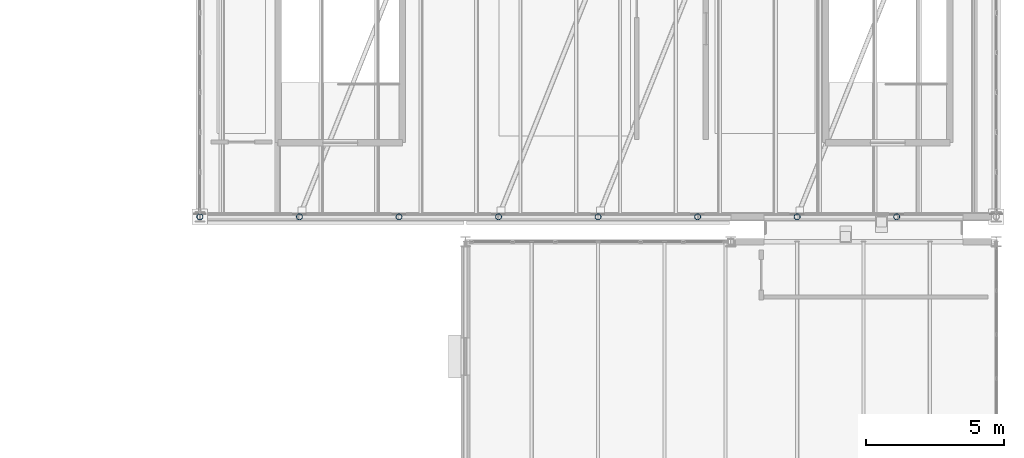
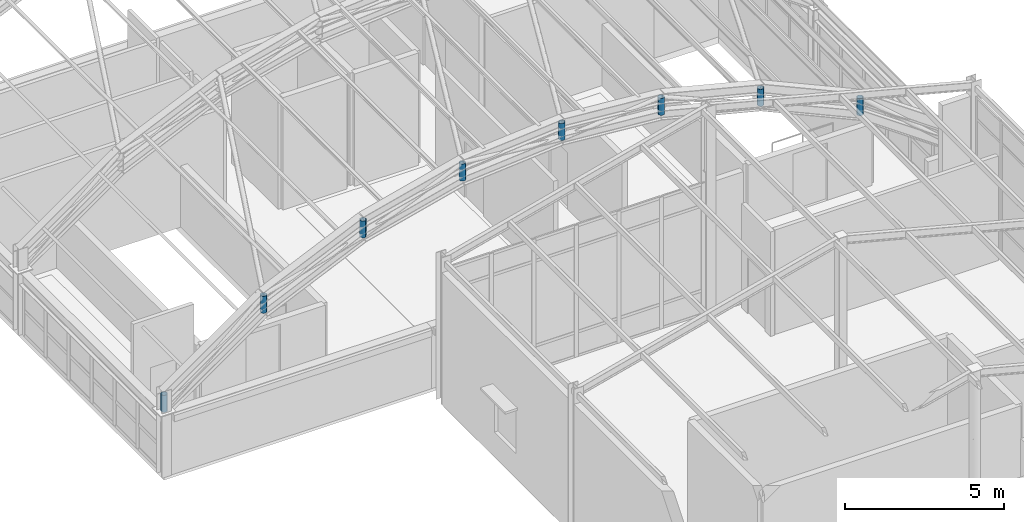
# One storey, part 84 of 121: 8 members.
"""IFC4 building model written with IfcOpenShell, lengths in metres."""

from ifc_helpers import new_model, si_unit, direction, frame, origin, origin_2d, place, context, subcontext, project, spatial, hollow_circle, extrude, material, material_profile, profile_set, type_object, element, save


model = new_model("IFC4")

# Units and contexts
model_context = context("Model", 3, precision=1e-05, world=origin(), true_north=direction((0.0, 1.0)))
body_context = subcontext(model_context, "Body", "Model", "MODEL_VIEW")
ifc_project = project(units=[si_unit("LENGTHUNIT", "METRE"), si_unit("AREAUNIT", "SQUARE_METRE"), si_unit("VOLUMEUNIT", "CUBIC_METRE"), si_unit("PLANEANGLEUNIT", "RADIAN"), si_unit("MASSUNIT", "GRAM", prefix="KILO")], contexts=[model_context])

# Site, building, storey
site_placement = place(None, origin())
site = spatial("IfcSite", under=ifc_project, at=site_placement, CompositionType="ELEMENT")
building_placement = place(site_placement, origin())
building = spatial("IfcBuilding", under=site, at=building_placement, Name="Canglan Escarpment Cableway Terminal", CompositionType="ELEMENT")
storey_placement = place(building_placement, frame((0.0, 0.0, 24.60009765625)))
storey = spatial("IfcBuildingStorey", under=building, at=storey_placement, Name="L05", CompositionType="ELEMENT", Elevation=24.60009765625)

# Members
ifc_material = material(Name="Steel Q355B", Category="steel")
ifc_material_profile = material_profile(ifc_material, hollow_circle(Radius=0.109619140625, WallThickness=0.008056640625, at=origin_2d()), Name="CHS 219.1x8")
ifc_profile_set = profile_set([ifc_material_profile], Name="Steel Q355B")
member_type = type_object("IfcMemberType", Name="MB-ARCH-WEB-CHS219", PredefinedType="BRACE", material=ifc_profile_set)
for number, where, z_axis, x_axis, name in (
    (1, (141.199951171875, 34.0, 4.966552734375), (0.0, 0.0, 1.0), (1.0, 0.0, 0.0), "Vault ROOF TRUSS vertical strut AR-WB1"),
    (2, (144.800048828125, 34.0, 6.58837890625), (0.0, 0.0, 1.0), (1.0, 0.0, 0.0), "Vault ROOF TRUSS vertical strut AR-WB1"),
    (3, (148.39990234375, 34.0, 7.50341796875), (0.0, 0.0, 1.0), (1.0, 0.0, 0.0), "Vault ROOF TRUSS vertical strut AR-WB1"),
):
    element("IfcMember", number, at=place(storey_placement, frame(where, z_axis=z_axis, x_axis=x_axis)), inside=storey, type_object=member_type, Name=name, PredefinedType="BRACE", context=body_context, shape_type="SweptSolid", body=[
        extrude(hollow_circle(Radius=0.109619140625, WallThickness=0.008056640625, at=origin_2d()), origin(), (0.0, 0.0, 1.0), 0.64990234375),
    ])
member_1_placement = place(storey_placement, frame((152.0, 34.0, 7.7998046875), z_axis=(0.0, 0.0, 1.0), x_axis=(1.0, 0.0, 0.0)))
element("IfcMember", 4, at=member_1_placement, inside=storey, type_object=member_type, Name="Vault ROOF TRUSS vertical strut AR-WB1", PredefinedType="BRACE", context=body_context, shape_type="SweptSolid", body=[
    extrude(hollow_circle(Radius=0.109619140625, WallThickness=0.008056640625, at=origin_2d()), origin(), (0.0, 0.0, 1.0), 0.650146484375),
])
for number, where, z_axis, x_axis, name in (
    (5, (155.60009765625, 34.0, 7.50341796875), (0.0, 0.0, 1.0), (1.0, 0.0, 0.0), "Vault ROOF TRUSS vertical strut AR-WB1"),
    (6, (159.199951171875, 34.0, 6.58837890625), (0.0, 0.0, 1.0), (1.0, 0.0, 0.0), "Vault ROOF TRUSS vertical strut AR-WB1"),
    (7, (162.800048828125, 34.0, 4.966552734375), (0.0, 0.0, 1.0), (1.0, 0.0, 0.0), "Vault ROOF TRUSS vertical strut AR-WB1"),
):
    element("IfcMember", number, at=place(storey_placement, frame(where, z_axis=z_axis, x_axis=x_axis)), inside=storey, type_object=member_type, Name=name, PredefinedType="BRACE", context=body_context, shape_type="SweptSolid", body=[
        extrude(hollow_circle(Radius=0.109619140625, WallThickness=0.008056640625, at=origin_2d()), origin(), (0.0, 0.0, 1.0), 0.64990234375),
    ])
member_2_placement = place(storey_placement, frame((137.60009765625, 34.0, 2.432373046875), z_axis=(0.0, 0.0, 1.0), x_axis=(1.0, 0.0, 0.0)))
element("IfcMember", 8, at=member_2_placement, inside=storey, type_object=member_type, Name="Vault ROOF TRUSS springing strut AR-WB1", PredefinedType="BRACE", context=body_context, shape_type="SweptSolid", body=[
    extrude(hollow_circle(Radius=0.109619140625, WallThickness=0.008056640625, at=origin_2d()), origin(), (0.0, 0.0, 1.0), 0.650146484375),
])

save(model, "model.ifc")
